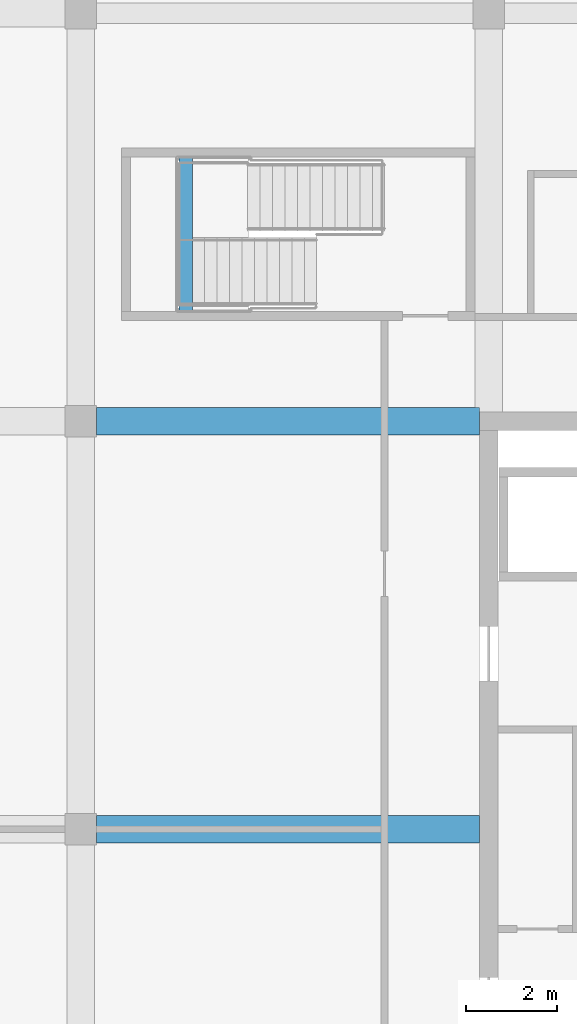
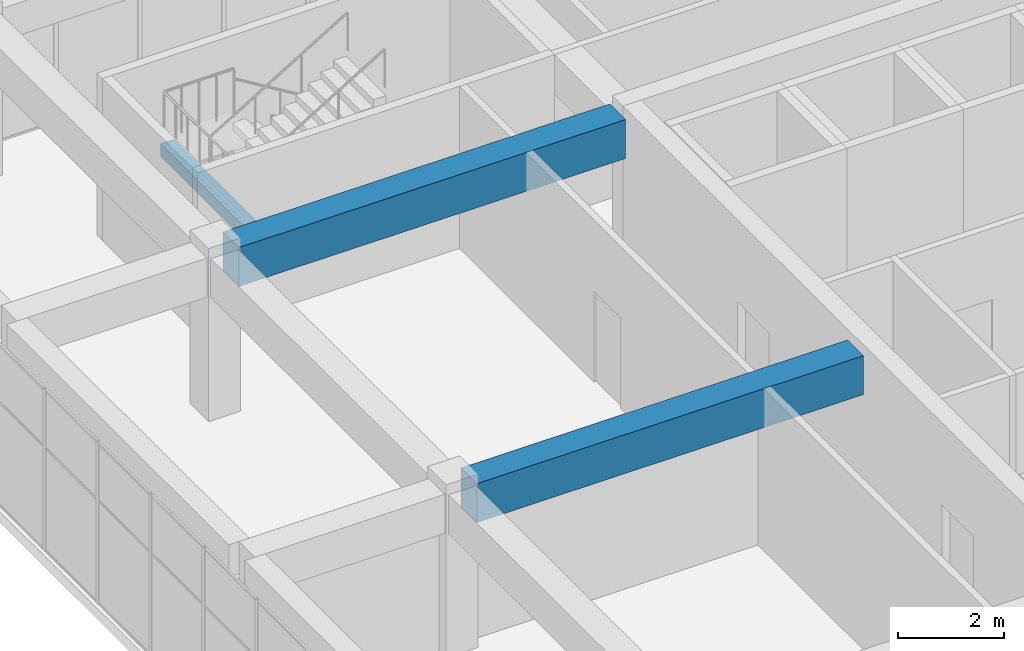
# One storey, part 17 of 43: 3 beams.
"""IFC4 building model written with IfcOpenShell, lengths in metres."""

from ifc_helpers import new_model, si_unit, direction, frame, origin, origin_2d, place, context, subcontext, project, spatial, rectangle, extrude, material, material_profile, profile_set, type_object, element, save


model = new_model("IFC4")

# Units and contexts
model_context = context("Model", 3, precision=1e-05, world=origin(), true_north=direction((0.0, 1.0)))
body_context = subcontext(model_context, "Body", "Model", "MODEL_VIEW")
ifc_project = project(units=[si_unit("LENGTHUNIT", "METRE"), si_unit("AREAUNIT", "SQUARE_METRE"), si_unit("VOLUMEUNIT", "CUBIC_METRE"), si_unit("PLANEANGLEUNIT", "RADIAN"), si_unit("MASSUNIT", "GRAM", prefix="KILO")], contexts=[model_context])

# Site, building, storey
site_placement = place(None, origin())
site = spatial("IfcSite", under=ifc_project, at=site_placement, CompositionType="ELEMENT")
building_placement = place(site_placement, origin())
building = spatial("IfcBuilding", under=site, at=building_placement, Name="Tuart Plaza Theatre", CompositionType="ELEMENT")
storey_placement = place(building_placement, frame((0.0, 0.0, 33.5)))
storey = spatial("IfcBuildingStorey", under=building, at=storey_placement, Name="L08", CompositionType="ELEMENT", Elevation=33.5)

# Beams
ifc_material_1 = material(Name="Concrete N40 (40 MPa)", Category="concrete")
ifc_material_profile_1 = material_profile(ifc_material_1, rectangle(XDim=0.300048828125, YDim=0.300048828125, at=origin_2d()), Name="BEAM 300x300 Concrete N40 (40 MPa)")
ifc_profile_set_1 = profile_set([ifc_material_profile_1], Name="Concrete N40 (40 MPa)")
beam_type_1 = type_object("IfcBeamType", Name="BEAM 300x300 Concrete N40 (40 MPa)", PredefinedType="BEAM", material=ifc_profile_set_1)
beam_placement = place(storey_placement, frame((116.320068359375, 88.824951171875, 1.64990234375), z_axis=(0.0, -1.0, 0.0), x_axis=(1.0, 0.0, 0.0)))
element("IfcBeam", 1, at=beam_placement, inside=storey, type_object=beam_type_1, Name="RB536", PredefinedType="BEAM", context=body_context, shape_type="SweptSolid", body=[
    extrude(rectangle(XDim=0.300048828125, YDim=0.300048828125, at=origin_2d()), origin(), (0.0, 0.0, 1.0), 3.39990234375),
])
ifc_material_2 = material(Name="Concrete N40 (40 MPa)", Category="concrete")
ifc_material_profile_2 = material_profile(ifc_material_2, rectangle(XDim=0.60009765625, YDim=0.89990234375, at=origin_2d()), Name="BEAM 600x900 Concrete N40 (40 MPa)")
ifc_profile_set_2 = profile_set([ifc_material_profile_2], Name="Concrete N40 (40 MPa)")
beam_type_2 = type_object("IfcBeamType", Name="BEAM 600x900 Concrete N40 (40 MPa)", PredefinedType="BEAM", material=ifc_profile_set_2)
for number, where, z_axis, x_axis, name in (
    (2, (114.35009765625, 74.0, 3.300048828125), (1.0, 0.0, 0.0), (0.0, 1.0, 0.0), "RB260"),
    (3, (114.35009765625, 83.0, 3.300048828125), (1.0, 0.0, 0.0), (0.0, 1.0, 0.0), "RB262"),
):
    element("IfcBeam", number, at=place(storey_placement, frame(where, z_axis=z_axis, x_axis=x_axis)), inside=storey, type_object=beam_type_2, Name=name, PredefinedType="BEAM", context=body_context, shape_type="SweptSolid", body=[
        extrude(rectangle(XDim=0.60009765625, YDim=0.89990234375, at=origin_2d()), origin(), (0.0, 0.0, 1.0), 8.449951171875),
    ])

save(model, "model.ifc")
